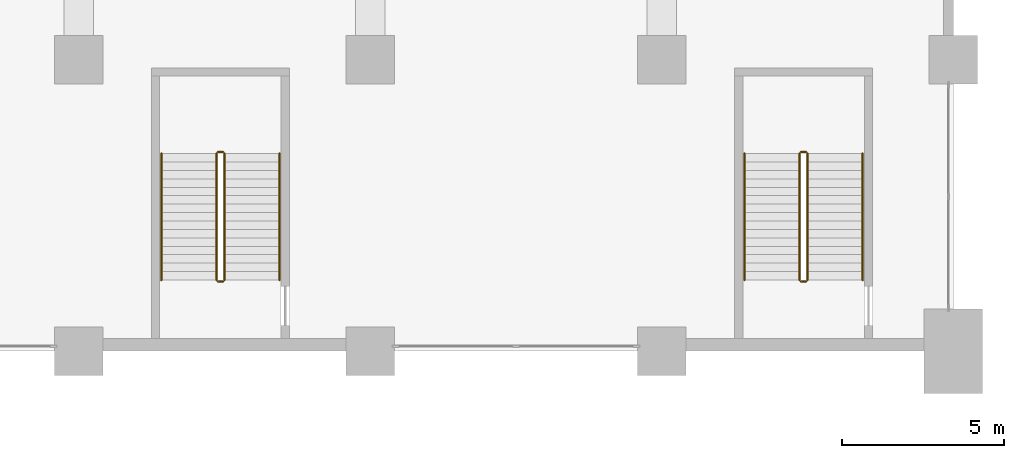
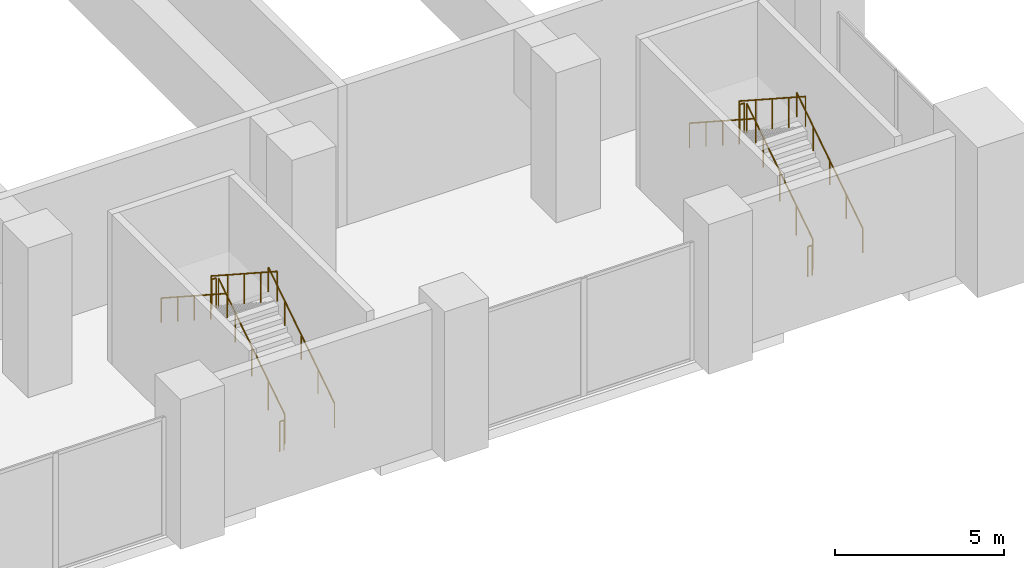
# One storey, part 34 of 43: 12 railings.
"""IFC4 building model written with IfcOpenShell, lengths in metres."""

from ifc_helpers import new_model, si_unit, direction, frame, origin, origin_2d, place, context, subcontext, project, spatial, circle, extrude, material, type_object, element, save


model = new_model("IFC4")

# Units and contexts
model_context = context("Model", 3, precision=1e-05, world=origin(), true_north=direction((0.0, 1.0)))
body_context = subcontext(model_context, "Body", "Model", "MODEL_VIEW")
ifc_project = project(units=[si_unit("LENGTHUNIT", "METRE"), si_unit("AREAUNIT", "SQUARE_METRE"), si_unit("VOLUMEUNIT", "CUBIC_METRE"), si_unit("PLANEANGLEUNIT", "RADIAN"), si_unit("MASSUNIT", "GRAM", prefix="KILO")], contexts=[model_context])

# Site, building, storey
site_placement = place(None, origin())
site = spatial("IfcSite", under=ifc_project, at=site_placement, CompositionType="ELEMENT")
building_placement = place(site_placement, origin())
building = spatial("IfcBuilding", under=site, at=building_placement, Name="Hunhe Ridgeline Campus", CompositionType="ELEMENT")
storey_placement = place(building_placement, frame((0.0, 0.0, 11.39990234375)))
storey = spatial("IfcBuildingStorey", under=building, at=storey_placement, Name="L02", CompositionType="ELEMENT", Elevation=11.39990234375)

# Railings
ifc_material = material(Name="Steel Q235", Category="steel")
railing_type_1 = type_object("IfcRailingType", Name="Podium stair guard 1100", PredefinedType="GUARDRAIL", material=ifc_material)
railing_1_placement = place(storey_placement, frame((67.5, 20.199951171875, 0.1689453125)))
element("IfcRailing", 1, at=railing_1_placement, inside=storey, type_object=railing_type_1, Name="L02 PS2 stair guard 1", PredefinedType="GUARDRAIL", context=body_context, shape_type="SweptSolid", body=[
    extrude(circle(Radius=0.02392578125, at=origin_2d()), frame((0.0, 0.0, 1.076171875), z_axis=(0.0, 0.838821308939, 0.544406843886), x_axis=(-1.0, 0.0, 0.0)), (0.0, 0.0, 1.0), 4.649658203125),
    extrude(circle(Radius=0.02099609375, at=origin_2d()), origin(), (0.0, 0.0, 1.0), 1.052001953125),
    extrude(circle(Radius=0.02099609375, at=origin_2d()), frame((0.0, 0.97509765625, 0.6328125)), (0.0, 0.0, 1.0), 1.052001953125),
    extrude(circle(Radius=0.02099609375, at=origin_2d()), frame((0.0, 1.9501953125, 1.265625)), (0.0, 0.0, 1.0), 1.052001953125),
    extrude(circle(Radius=0.02099609375, at=origin_2d()), frame((0.0, 2.925048828125, 1.8984375)), (0.0, 0.0, 1.0), 1.052001953125),
    extrude(circle(Radius=0.02099609375, at=origin_2d()), frame((0.0, 3.900146484375, 2.53125)), (0.0, 0.0, 1.0), 1.052001953125),
])
railing_2_placement = place(storey_placement, frame((67.449951171875, 24.14990234375, 2.7001953125)))
element("IfcRailing", 2, at=railing_2_placement, inside=storey, type_object=railing_type_1, Name="L02 PS2 stair guard 2", PredefinedType="GUARDRAIL", context=body_context, shape_type="SweptSolid", body=[
    extrude(circle(Radius=0.02392578125, at=origin_2d()), frame((0.0, 0.0, 1.076171875), z_axis=(-1.0, 0.0, 0.0), x_axis=(0.0, -1.0, 0.0)), (0.0, 0.0, 1.0), 0.14990234375),
    extrude(circle(Radius=0.02099609375, at=origin_2d()), origin(), (0.0, 0.0, 1.0), 1.052001953125),
    extrude(circle(Radius=0.02099609375, at=origin_2d()), frame((-0.14990234375, 0.0, 0.0)), (0.0, 0.0, 1.0), 1.052001953125),
])
railing_3_placement = place(storey_placement, frame((67.25, 24.10009765625, 2.868896484375)))
element("IfcRailing", 3, at=railing_3_placement, inside=storey, type_object=railing_type_1, Name="L02 PS2 stair guard 3", PredefinedType="GUARDRAIL", context=body_context, shape_type="SweptSolid", body=[
    extrude(circle(Radius=0.02392578125, at=origin_2d()), frame((0.0, 0.0, 1.076171875), z_axis=(0.0, -0.838821308939, 0.544406843886), x_axis=(1.0, 0.0, 0.0)), (0.0, 0.0, 1.0), 4.649658203125),
    extrude(circle(Radius=0.02099609375, at=origin_2d()), origin(), (0.0, 0.0, 1.0), 1.052001953125),
    extrude(circle(Radius=0.02099609375, at=origin_2d()), frame((0.0, -0.97509765625, 0.6328125)), (0.0, 0.0, 1.0), 1.052001953125),
    extrude(circle(Radius=0.02099609375, at=origin_2d()), frame((0.0, -1.9501953125, 1.265625)), (0.0, 0.0, 1.0), 1.052001953125),
    extrude(circle(Radius=0.02099609375, at=origin_2d()), frame((0.0, -2.925048828125, 1.8984375)), (0.0, 0.0, 1.0), 1.052001953125),
    extrude(circle(Radius=0.02099609375, at=origin_2d()), frame((0.0, -3.900146484375, 2.53125)), (0.0, 0.0, 1.0), 1.052001953125),
])
railing_4_placement = place(storey_placement, frame((67.449951171875, 20.14990234375, 0.0)))
element("IfcRailing", 4, at=railing_4_placement, inside=storey, type_object=railing_type_1, Name="L02 PS2 stair guard 4", PredefinedType="GUARDRAIL", context=body_context, shape_type="SweptSolid", body=[
    extrude(circle(Radius=0.02392578125, at=origin_2d()), frame((0.0, 0.0, 1.076171875), z_axis=(-1.0, 0.0, 0.0), x_axis=(0.0, -1.0, 0.0)), (0.0, 0.0, 1.0), 0.14990234375),
    extrude(circle(Radius=0.02099609375, at=origin_2d()), origin(), (0.0, 0.0, 1.0), 1.052001953125),
    extrude(circle(Radius=0.02099609375, at=origin_2d()), frame((-0.14990234375, 0.0, 0.0)), (0.0, 0.0, 1.0), 1.052001953125),
])
railing_5_placement = place(storey_placement, frame((85.5, 20.199951171875, 0.1689453125)))
element("IfcRailing", 5, at=railing_5_placement, inside=storey, type_object=railing_type_1, Name="L02 PS3 stair guard 1", PredefinedType="GUARDRAIL", context=body_context, shape_type="SweptSolid", body=[
    extrude(circle(Radius=0.02392578125, at=origin_2d()), frame((0.0, 0.0, 1.076171875), z_axis=(0.0, 0.838821308939, 0.544406843886), x_axis=(-1.0, 0.0, 0.0)), (0.0, 0.0, 1.0), 4.649658203125),
    extrude(circle(Radius=0.02099609375, at=origin_2d()), origin(), (0.0, 0.0, 1.0), 1.052001953125),
    extrude(circle(Radius=0.02099609375, at=origin_2d()), frame((0.0, 0.97509765625, 0.6328125)), (0.0, 0.0, 1.0), 1.052001953125),
    extrude(circle(Radius=0.02099609375, at=origin_2d()), frame((0.0, 1.9501953125, 1.265625)), (0.0, 0.0, 1.0), 1.052001953125),
    extrude(circle(Radius=0.02099609375, at=origin_2d()), frame((0.0, 2.925048828125, 1.8984375)), (0.0, 0.0, 1.0), 1.052001953125),
    extrude(circle(Radius=0.02099609375, at=origin_2d()), frame((0.0, 3.900146484375, 2.53125)), (0.0, 0.0, 1.0), 1.052001953125),
])
railing_6_placement = place(storey_placement, frame((85.449951171875, 24.14990234375, 2.7001953125)))
element("IfcRailing", 6, at=railing_6_placement, inside=storey, type_object=railing_type_1, Name="L02 PS3 stair guard 2", PredefinedType="GUARDRAIL", context=body_context, shape_type="SweptSolid", body=[
    extrude(circle(Radius=0.02392578125, at=origin_2d()), frame((0.0, 0.0, 1.076171875), z_axis=(-1.0, 0.0, 0.0), x_axis=(0.0, -1.0, 0.0)), (0.0, 0.0, 1.0), 0.14990234375),
    extrude(circle(Radius=0.02099609375, at=origin_2d()), origin(), (0.0, 0.0, 1.0), 1.052001953125),
    extrude(circle(Radius=0.02099609375, at=origin_2d()), frame((-0.14990234375, 0.0, 0.0)), (0.0, 0.0, 1.0), 1.052001953125),
])
railing_7_placement = place(storey_placement, frame((85.25, 24.10009765625, 2.868896484375)))
element("IfcRailing", 7, at=railing_7_placement, inside=storey, type_object=railing_type_1, Name="L02 PS3 stair guard 3", PredefinedType="GUARDRAIL", context=body_context, shape_type="SweptSolid", body=[
    extrude(circle(Radius=0.02392578125, at=origin_2d()), frame((0.0, 0.0, 1.076171875), z_axis=(0.0, -0.838821308939, 0.544406843886), x_axis=(1.0, 0.0, 0.0)), (0.0, 0.0, 1.0), 4.649658203125),
    extrude(circle(Radius=0.02099609375, at=origin_2d()), origin(), (0.0, 0.0, 1.0), 1.052001953125),
    extrude(circle(Radius=0.02099609375, at=origin_2d()), frame((0.0, -0.97509765625, 0.6328125)), (0.0, 0.0, 1.0), 1.052001953125),
    extrude(circle(Radius=0.02099609375, at=origin_2d()), frame((0.0, -1.9501953125, 1.265625)), (0.0, 0.0, 1.0), 1.052001953125),
    extrude(circle(Radius=0.02099609375, at=origin_2d()), frame((0.0, -2.925048828125, 1.8984375)), (0.0, 0.0, 1.0), 1.052001953125),
    extrude(circle(Radius=0.02099609375, at=origin_2d()), frame((0.0, -3.900146484375, 2.53125)), (0.0, 0.0, 1.0), 1.052001953125),
])
railing_8_placement = place(storey_placement, frame((85.449951171875, 20.14990234375, 0.0)))
element("IfcRailing", 8, at=railing_8_placement, inside=storey, type_object=railing_type_1, Name="L02 PS3 stair guard 4", PredefinedType="GUARDRAIL", context=body_context, shape_type="SweptSolid", body=[
    extrude(circle(Radius=0.02392578125, at=origin_2d()), frame((0.0, 0.0, 1.076171875), z_axis=(-1.0, 0.0, 0.0), x_axis=(0.0, -1.0, 0.0)), (0.0, 0.0, 1.0), 0.14990234375),
    extrude(circle(Radius=0.02099609375, at=origin_2d()), origin(), (0.0, 0.0, 1.0), 1.052001953125),
    extrude(circle(Radius=0.02099609375, at=origin_2d()), frame((-0.14990234375, 0.0, 0.0)), (0.0, 0.0, 1.0), 1.052001953125),
])
railing_type_2 = type_object("IfcRailingType", Name="Podium stair handrail", PredefinedType="HANDRAIL", material=ifc_material)
railing_9_placement = place(storey_placement, frame((69.199951171875, 20.199951171875, 0.1689453125)))
element("IfcRailing", 9, at=railing_9_placement, inside=storey, type_object=railing_type_2, Name="L02 PS2 stair handrail 1", PredefinedType="HANDRAIL", context=body_context, shape_type="SweptSolid", body=[
    extrude(circle(Radius=0.02392578125, at=origin_2d()), frame((0.0, 0.0, 0.8759765625), z_axis=(0.0, 0.838821308939, 0.544406843886), x_axis=(-1.0, 0.0, 0.0)), (0.0, 0.0, 1.0), 4.649658203125),
    extrude(circle(Radius=0.02099609375, at=origin_2d()), origin(), (0.0, 0.0, 1.0), 0.851806640625),
    extrude(circle(Radius=0.02099609375, at=origin_2d()), frame((0.0, 0.97509765625, 0.6328125)), (0.0, 0.0, 1.0), 0.851806640625),
    extrude(circle(Radius=0.02099609375, at=origin_2d()), frame((0.0, 1.9501953125, 1.265625)), (0.0, 0.0, 1.0), 0.851806640625),
    extrude(circle(Radius=0.02099609375, at=origin_2d()), frame((0.0, 2.925048828125, 1.8984375)), (0.0, 0.0, 1.0), 0.851806640625),
    extrude(circle(Radius=0.02099609375, at=origin_2d()), frame((0.0, 3.900146484375, 2.53125)), (0.0, 0.0, 1.0), 0.851806640625),
])
railing_10_placement = place(storey_placement, frame((65.550048828125, 24.10009765625, 2.868896484375)))
element("IfcRailing", 10, at=railing_10_placement, inside=storey, type_object=railing_type_2, Name="L02 PS2 stair handrail 2", PredefinedType="HANDRAIL", context=body_context, shape_type="SweptSolid", body=[
    extrude(circle(Radius=0.02392578125, at=origin_2d()), frame((0.0, 0.0, 0.8759765625), z_axis=(0.0, -0.838821308939, 0.544406843886), x_axis=(1.0, 0.0, 0.0)), (0.0, 0.0, 1.0), 4.649658203125),
    extrude(circle(Radius=0.02099609375, at=origin_2d()), origin(), (0.0, 0.0, 1.0), 0.851806640625),
    extrude(circle(Radius=0.02099609375, at=origin_2d()), frame((0.0, -0.97509765625, 0.6328125)), (0.0, 0.0, 1.0), 0.851806640625),
    extrude(circle(Radius=0.02099609375, at=origin_2d()), frame((0.0, -1.9501953125, 1.265625)), (0.0, 0.0, 1.0), 0.851806640625),
    extrude(circle(Radius=0.02099609375, at=origin_2d()), frame((0.0, -2.925048828125, 1.8984375)), (0.0, 0.0, 1.0), 0.851806640625),
    extrude(circle(Radius=0.02099609375, at=origin_2d()), frame((0.0, -3.900146484375, 2.53125)), (0.0, 0.0, 1.0), 0.851806640625),
])
railing_11_placement = place(storey_placement, frame((87.199951171875, 20.199951171875, 0.1689453125)))
element("IfcRailing", 11, at=railing_11_placement, inside=storey, type_object=railing_type_2, Name="L02 PS3 stair handrail 1", PredefinedType="HANDRAIL", context=body_context, shape_type="SweptSolid", body=[
    extrude(circle(Radius=0.02392578125, at=origin_2d()), frame((0.0, 0.0, 0.8759765625), z_axis=(0.0, 0.838821308939, 0.544406843886), x_axis=(-1.0, 0.0, 0.0)), (0.0, 0.0, 1.0), 4.649658203125),
    extrude(circle(Radius=0.02099609375, at=origin_2d()), origin(), (0.0, 0.0, 1.0), 0.851806640625),
    extrude(circle(Radius=0.02099609375, at=origin_2d()), frame((0.0, 0.97509765625, 0.6328125)), (0.0, 0.0, 1.0), 0.851806640625),
    extrude(circle(Radius=0.02099609375, at=origin_2d()), frame((0.0, 1.9501953125, 1.265625)), (0.0, 0.0, 1.0), 0.851806640625),
    extrude(circle(Radius=0.02099609375, at=origin_2d()), frame((0.0, 2.925048828125, 1.8984375)), (0.0, 0.0, 1.0), 0.851806640625),
    extrude(circle(Radius=0.02099609375, at=origin_2d()), frame((0.0, 3.900146484375, 2.53125)), (0.0, 0.0, 1.0), 0.851806640625),
])
railing_12_placement = place(storey_placement, frame((83.550048828125, 24.10009765625, 2.868896484375)))
element("IfcRailing", 12, at=railing_12_placement, inside=storey, type_object=railing_type_2, Name="L02 PS3 stair handrail 2", PredefinedType="HANDRAIL", context=body_context, shape_type="SweptSolid", body=[
    extrude(circle(Radius=0.02392578125, at=origin_2d()), frame((0.0, 0.0, 0.8759765625), z_axis=(0.0, -0.838821308939, 0.544406843886), x_axis=(1.0, 0.0, 0.0)), (0.0, 0.0, 1.0), 4.649658203125),
    extrude(circle(Radius=0.02099609375, at=origin_2d()), origin(), (0.0, 0.0, 1.0), 0.851806640625),
    extrude(circle(Radius=0.02099609375, at=origin_2d()), frame((0.0, -0.97509765625, 0.6328125)), (0.0, 0.0, 1.0), 0.851806640625),
    extrude(circle(Radius=0.02099609375, at=origin_2d()), frame((0.0, -1.9501953125, 1.265625)), (0.0, 0.0, 1.0), 0.851806640625),
    extrude(circle(Radius=0.02099609375, at=origin_2d()), frame((0.0, -2.925048828125, 1.8984375)), (0.0, 0.0, 1.0), 0.851806640625),
    extrude(circle(Radius=0.02099609375, at=origin_2d()), frame((0.0, -3.900146484375, 2.53125)), (0.0, 0.0, 1.0), 0.851806640625),
])

save(model, "model.ifc")
